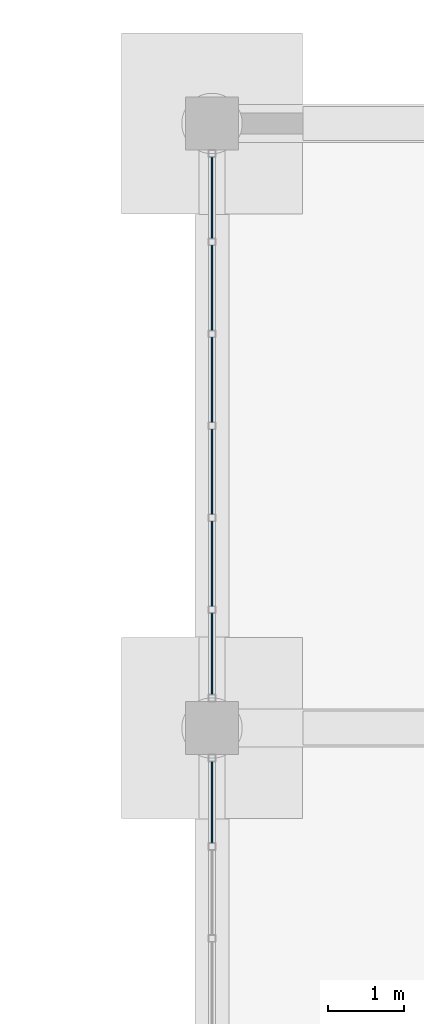
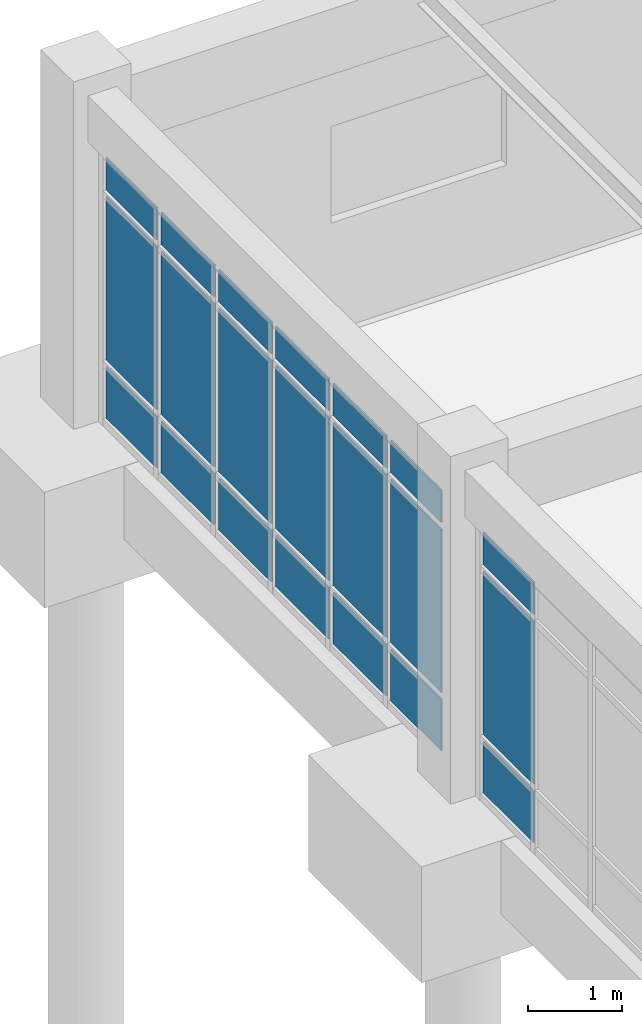
# One storey, part 114 of 153: 21 plates, 2 elements without a shape of their own.
"""IFC4 building model written with IfcOpenShell, lengths in metres."""

from ifc_helpers import new_model, si_unit, direction, frame, origin, origin_2d, place, context, subcontext, project, spatial, rectangle, extrude, material, layer, layer_set, type_object, element, aggregate, save


model = new_model("IFC4")

# Units and contexts
model_context = context("Model", 3, precision=1e-05, world=origin(), true_north=direction((0.0, 1.0)))
body_context = subcontext(model_context, "Body", "Model", "MODEL_VIEW")
ifc_project = project(units=[si_unit("LENGTHUNIT", "METRE"), si_unit("AREAUNIT", "SQUARE_METRE"), si_unit("VOLUMEUNIT", "CUBIC_METRE"), si_unit("PLANEANGLEUNIT", "RADIAN"), si_unit("MASSUNIT", "GRAM", prefix="KILO")], contexts=[model_context])

# Site, building, storey
site_placement = place(None, origin())
site = spatial("IfcSite", under=ifc_project, at=site_placement, CompositionType="ELEMENT")
building_placement = place(site_placement, origin())
building = spatial("IfcBuilding", under=site, at=building_placement, Name="Celadon Cloister-Ring School", CompositionType="ELEMENT")
storey_placement = place(building_placement, origin())
storey = spatial("IfcBuildingStorey", under=building, at=storey_placement, Name="L00", CompositionType="ELEMENT", Elevation=0.0)

# Curtain wall, plates
ifc_material_1 = material(Name="Aluminium EN AW-6063 T6", Category="aluminium")
curtain_wall_type = type_object("IfcCurtainWallType", Name="CW-07", PredefinedType="USERDEFINED", material=ifc_material_1)
curtain_wall_1_placement = place(storey_placement, origin())
curtain_wall_1 = element("IfcCurtainWall", 1, at=curtain_wall_1_placement, inside=storey, type_object=curtain_wall_type, Name="Curtain Wall 0178", ObjectType="CURTAIN WALL", PredefinedType="USERDEFINED")
ifc_material_2 = material(Name="Tempered laminated insulating glass", Category="glass")
ifc_layer = layer(ifc_material_2, 0.02001953125)
ifc_layer_set = layer_set([ifc_layer], Name="Tempered laminated insulating glass")
plate_type = type_object("IfcPlateType", Name="CPN-01", PredefinedType="CURTAIN_PANEL", material=ifc_layer_set)
plate_1_placement = place(storey_placement, frame((142.0, 105.017822265625, 0.090087890625), z_axis=(0.0, 0.0, 1.0), x_axis=(0.0, 1.0, 0.0)))
plate_1 = element("IfcPlate", 2, at=plate_1_placement, type_object=plate_type, Name="CW-07 panel 6.1", PredefinedType="CURTAIN_PANEL", context=body_context, shape_type="SweptSolid", body=[
    extrude(rectangle(XDim=1.07421875, YDim=0.02001953125, at=origin_2d()), origin(), (0.0, 0.0, 1.0), 0.6650390625),
])
plate_2_placement = place(storey_placement, frame((142.0, 105.017822265625, 0.8447265625), z_axis=(0.0, 0.0, 1.0), x_axis=(0.0, 1.0, 0.0)))
plate_2 = element("IfcPlate", 3, at=plate_2_placement, type_object=plate_type, Name="CW-07 panel 6.2", PredefinedType="CURTAIN_PANEL", context=body_context, shape_type="SweptSolid", body=[
    extrude(rectangle(XDim=1.07421875, YDim=0.02001953125, at=origin_2d()), origin(), (0.0, 0.0, 1.0), 2.110107421875),
])
plate_3_placement = place(storey_placement, frame((142.0, 105.017822265625, 3.044921875), z_axis=(0.0, 0.0, 1.0), x_axis=(0.0, 1.0, 0.0)))
plate_3 = element("IfcPlate", 4, at=plate_3_placement, type_object=plate_type, Name="CW-07 panel 6.3", PredefinedType="CURTAIN_PANEL", context=body_context, shape_type="SweptSolid", body=[
    extrude(rectangle(XDim=1.07421875, YDim=0.02001953125, at=origin_2d()), origin(), (0.0, 0.0, 1.0), 0.4150390625),
])
aggregate(curtain_wall_1, [plate_1, plate_2, plate_3])

curtain_wall_2_placement = place(storey_placement, origin())
curtain_wall_2 = element("IfcCurtainWall", 5, at=curtain_wall_2_placement, inside=storey, type_object=curtain_wall_type, Name="Curtain Wall 0179", ObjectType="CURTAIN WALL", PredefinedType="USERDEFINED")
plate_4_placement = place(storey_placement, frame((142.0, 106.982177734375, 0.090087890625), z_axis=(0.0, 0.0, 1.0), x_axis=(0.0, 1.0, 0.0)))
plate_4 = element("IfcPlate", 6, at=plate_4_placement, type_object=plate_type, Name="CW-07 panel 1.1", PredefinedType="CURTAIN_PANEL", context=body_context, shape_type="SweptSolid", body=[
    extrude(rectangle(XDim=1.07421875, YDim=0.02001953125, at=origin_2d()), origin(), (0.0, 0.0, 1.0), 0.6650390625),
])
plate_5_placement = place(storey_placement, frame((142.0, 106.982177734375, 0.8447265625), z_axis=(0.0, 0.0, 1.0), x_axis=(0.0, 1.0, 0.0)))
plate_5 = element("IfcPlate", 7, at=plate_5_placement, type_object=plate_type, Name="CW-07 panel 1.2", PredefinedType="CURTAIN_PANEL", context=body_context, shape_type="SweptSolid", body=[
    extrude(rectangle(XDim=1.07421875, YDim=0.02001953125, at=origin_2d()), origin(), (0.0, 0.0, 1.0), 2.110107421875),
])
plate_6_placement = place(storey_placement, frame((142.0, 106.982177734375, 3.044921875), z_axis=(0.0, 0.0, 1.0), x_axis=(0.0, 1.0, 0.0)))
plate_6 = element("IfcPlate", 8, at=plate_6_placement, type_object=plate_type, Name="CW-07 panel 1.3", PredefinedType="CURTAIN_PANEL", context=body_context, shape_type="SweptSolid", body=[
    extrude(rectangle(XDim=1.07421875, YDim=0.02001953125, at=origin_2d()), origin(), (0.0, 0.0, 1.0), 0.4150390625),
])
plate_7_placement = place(storey_placement, frame((142.0, 108.175048828125, 0.090087890625), z_axis=(0.0, 0.0, 1.0), x_axis=(0.0, 1.0, 0.0)))
plate_7 = element("IfcPlate", 9, at=plate_7_placement, type_object=plate_type, Name="CW-07 panel 2.1", PredefinedType="CURTAIN_PANEL", context=body_context, shape_type="SweptSolid", body=[
    extrude(rectangle(XDim=1.12158203125, YDim=0.02001953125, at=origin_2d()), origin(), (0.0, 0.0, 1.0), 0.6650390625),
])
plate_8_placement = place(storey_placement, frame((142.0, 108.175048828125, 0.8447265625), z_axis=(0.0, 0.0, 1.0), x_axis=(0.0, 1.0, 0.0)))
plate_8 = element("IfcPlate", 10, at=plate_8_placement, type_object=plate_type, Name="CW-07 panel 2.2", PredefinedType="CURTAIN_PANEL", context=body_context, shape_type="SweptSolid", body=[
    extrude(rectangle(XDim=1.12158203125, YDim=0.02001953125, at=origin_2d()), origin(), (0.0, 0.0, 1.0), 2.110107421875),
])
plate_9_placement = place(storey_placement, frame((142.0, 108.175048828125, 3.044921875), z_axis=(0.0, 0.0, 1.0), x_axis=(0.0, 1.0, 0.0)))
plate_9 = element("IfcPlate", 11, at=plate_9_placement, type_object=plate_type, Name="CW-07 panel 2.3", PredefinedType="CURTAIN_PANEL", context=body_context, shape_type="SweptSolid", body=[
    extrude(rectangle(XDim=1.12158203125, YDim=0.02001953125, at=origin_2d()), origin(), (0.0, 0.0, 1.0), 0.4150390625),
])
plate_10_placement = place(storey_placement, frame((142.0, 109.3916015625, 0.090087890625), z_axis=(0.0, 0.0, 1.0), x_axis=(0.0, 1.0, 0.0)))
plate_10 = element("IfcPlate", 12, at=plate_10_placement, type_object=plate_type, Name="CW-07 panel 3.1", PredefinedType="CURTAIN_PANEL", context=body_context, shape_type="SweptSolid", body=[
    extrude(rectangle(XDim=1.12158203125, YDim=0.02001953125, at=origin_2d()), origin(), (0.0, 0.0, 1.0), 0.6650390625),
])
plate_11_placement = place(storey_placement, frame((142.0, 109.3916015625, 0.8447265625), z_axis=(0.0, 0.0, 1.0), x_axis=(0.0, 1.0, 0.0)))
plate_11 = element("IfcPlate", 13, at=plate_11_placement, type_object=plate_type, Name="CW-07 panel 3.2", PredefinedType="CURTAIN_PANEL", context=body_context, shape_type="SweptSolid", body=[
    extrude(rectangle(XDim=1.12158203125, YDim=0.02001953125, at=origin_2d()), origin(), (0.0, 0.0, 1.0), 2.110107421875),
])
plate_12_placement = place(storey_placement, frame((142.0, 109.3916015625, 3.044921875), z_axis=(0.0, 0.0, 1.0), x_axis=(0.0, 1.0, 0.0)))
plate_12 = element("IfcPlate", 14, at=plate_12_placement, type_object=plate_type, Name="CW-07 panel 3.3", PredefinedType="CURTAIN_PANEL", context=body_context, shape_type="SweptSolid", body=[
    extrude(rectangle(XDim=1.12158203125, YDim=0.02001953125, at=origin_2d()), origin(), (0.0, 0.0, 1.0), 0.4150390625),
])
plate_13_placement = place(storey_placement, frame((142.0, 110.6083984375, 0.090087890625), z_axis=(0.0, 0.0, 1.0), x_axis=(0.0, 1.0, 0.0)))
plate_13 = element("IfcPlate", 15, at=plate_13_placement, type_object=plate_type, Name="CW-07 panel 4.1", PredefinedType="CURTAIN_PANEL", context=body_context, shape_type="SweptSolid", body=[
    extrude(rectangle(XDim=1.12158203125, YDim=0.02001953125, at=origin_2d()), origin(), (0.0, 0.0, 1.0), 0.6650390625),
])
plate_14_placement = place(storey_placement, frame((142.0, 110.6083984375, 0.8447265625), z_axis=(0.0, 0.0, 1.0), x_axis=(0.0, 1.0, 0.0)))
plate_14 = element("IfcPlate", 16, at=plate_14_placement, type_object=plate_type, Name="CW-07 panel 4.2", PredefinedType="CURTAIN_PANEL", context=body_context, shape_type="SweptSolid", body=[
    extrude(rectangle(XDim=1.12158203125, YDim=0.02001953125, at=origin_2d()), origin(), (0.0, 0.0, 1.0), 2.110107421875),
])
plate_15_placement = place(storey_placement, frame((142.0, 110.6083984375, 3.044921875), z_axis=(0.0, 0.0, 1.0), x_axis=(0.0, 1.0, 0.0)))
plate_15 = element("IfcPlate", 17, at=plate_15_placement, type_object=plate_type, Name="CW-07 panel 4.3", PredefinedType="CURTAIN_PANEL", context=body_context, shape_type="SweptSolid", body=[
    extrude(rectangle(XDim=1.12158203125, YDim=0.02001953125, at=origin_2d()), origin(), (0.0, 0.0, 1.0), 0.4150390625),
])
plate_16_placement = place(storey_placement, frame((142.0, 111.824951171875, 0.090087890625), z_axis=(0.0, 0.0, 1.0), x_axis=(0.0, 1.0, 0.0)))
plate_16 = element("IfcPlate", 18, at=plate_16_placement, type_object=plate_type, Name="CW-07 panel 5.1", PredefinedType="CURTAIN_PANEL", context=body_context, shape_type="SweptSolid", body=[
    extrude(rectangle(XDim=1.12158203125, YDim=0.02001953125, at=origin_2d()), origin(), (0.0, 0.0, 1.0), 0.6650390625),
])
plate_17_placement = place(storey_placement, frame((142.0, 111.824951171875, 0.8447265625), z_axis=(0.0, 0.0, 1.0), x_axis=(0.0, 1.0, 0.0)))
plate_17 = element("IfcPlate", 19, at=plate_17_placement, type_object=plate_type, Name="CW-07 panel 5.2", PredefinedType="CURTAIN_PANEL", context=body_context, shape_type="SweptSolid", body=[
    extrude(rectangle(XDim=1.12158203125, YDim=0.02001953125, at=origin_2d()), origin(), (0.0, 0.0, 1.0), 2.110107421875),
])
plate_18_placement = place(storey_placement, frame((142.0, 111.824951171875, 3.044921875), z_axis=(0.0, 0.0, 1.0), x_axis=(0.0, 1.0, 0.0)))
plate_18 = element("IfcPlate", 20, at=plate_18_placement, type_object=plate_type, Name="CW-07 panel 5.3", PredefinedType="CURTAIN_PANEL", context=body_context, shape_type="SweptSolid", body=[
    extrude(rectangle(XDim=1.12158203125, YDim=0.02001953125, at=origin_2d()), origin(), (0.0, 0.0, 1.0), 0.4150390625),
])
plate_19_placement = place(storey_placement, frame((142.0, 113.017822265625, 0.090087890625), z_axis=(0.0, 0.0, 1.0), x_axis=(0.0, 1.0, 0.0)))
plate_19 = element("IfcPlate", 21, at=plate_19_placement, type_object=plate_type, Name="CW-07 panel 6.1", PredefinedType="CURTAIN_PANEL", context=body_context, shape_type="SweptSolid", body=[
    extrude(rectangle(XDim=1.07421875, YDim=0.02001953125, at=origin_2d()), origin(), (0.0, 0.0, 1.0), 0.6650390625),
])
plate_20_placement = place(storey_placement, frame((142.0, 113.017822265625, 0.8447265625), z_axis=(0.0, 0.0, 1.0), x_axis=(0.0, 1.0, 0.0)))
plate_20 = element("IfcPlate", 22, at=plate_20_placement, type_object=plate_type, Name="CW-07 panel 6.2", PredefinedType="CURTAIN_PANEL", context=body_context, shape_type="SweptSolid", body=[
    extrude(rectangle(XDim=1.07421875, YDim=0.02001953125, at=origin_2d()), origin(), (0.0, 0.0, 1.0), 2.110107421875),
])
plate_21_placement = place(storey_placement, frame((142.0, 113.017822265625, 3.044921875), z_axis=(0.0, 0.0, 1.0), x_axis=(0.0, 1.0, 0.0)))
plate_21 = element("IfcPlate", 23, at=plate_21_placement, type_object=plate_type, Name="CW-07 panel 6.3", PredefinedType="CURTAIN_PANEL", context=body_context, shape_type="SweptSolid", body=[
    extrude(rectangle(XDim=1.07421875, YDim=0.02001953125, at=origin_2d()), origin(), (0.0, 0.0, 1.0), 0.4150390625),
])
aggregate(curtain_wall_2, [plate_4, plate_5, plate_6, plate_7, plate_8, plate_9, plate_10, plate_11, plate_12, plate_13, plate_14, plate_15, plate_16, plate_17, plate_18, plate_19, plate_20, plate_21])

save(model, "model.ifc")
